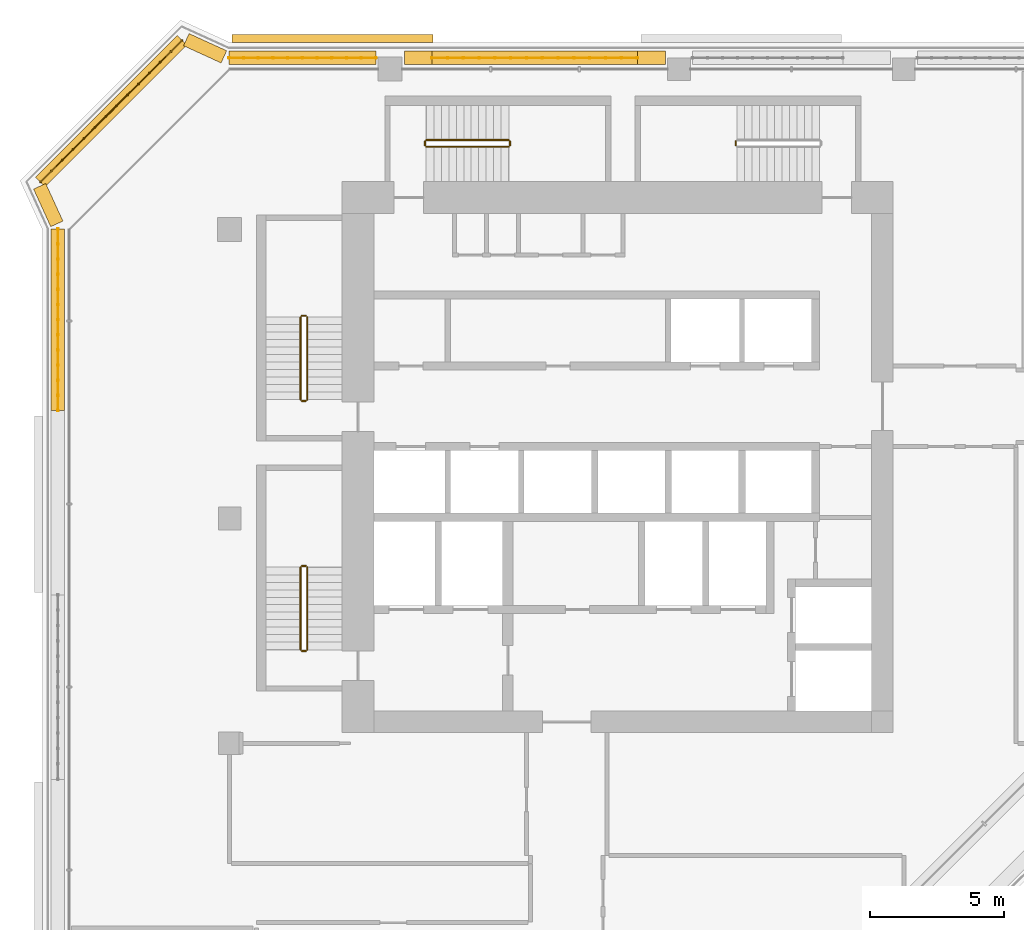
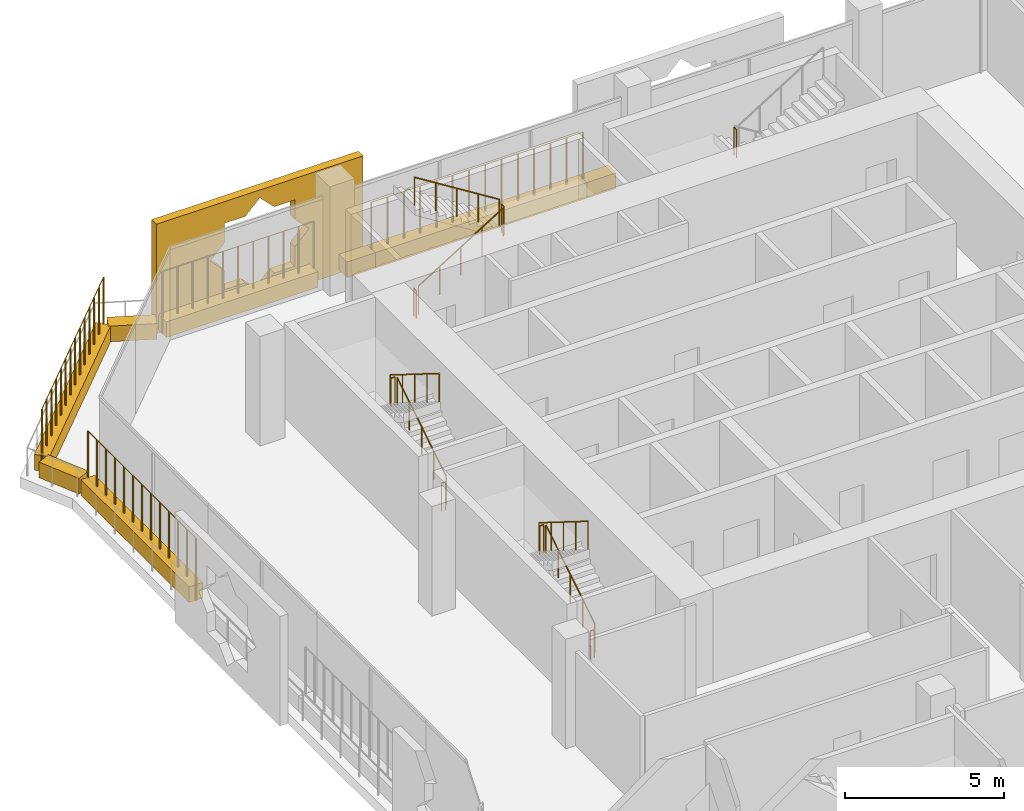
# One storey, part 21 of 23: 17 railings, 9 coverings.
"""IFC4 building model written with IfcOpenShell, lengths in metres."""

from ifc_helpers import new_model, si_unit, direction, frame, origin, origin_2d, place, context, subcontext, project, spatial, polyline, rectangle, circle, outline, extrude, material, material_profile, profile_set, type_object, element, save


model = new_model("IFC4")

# Units and contexts
model_context = context("Model", 3, precision=1e-05, world=origin(), true_north=direction((0.0, 1.0)))
body_context = subcontext(model_context, "Body", "Model", "MODEL_VIEW")
ifc_project = project(units=[si_unit("LENGTHUNIT", "METRE"), si_unit("AREAUNIT", "SQUARE_METRE"), si_unit("VOLUMEUNIT", "CUBIC_METRE"), si_unit("PLANEANGLEUNIT", "RADIAN"), si_unit("MASSUNIT", "GRAM", prefix="KILO")], contexts=[model_context])

# Site, building, storey
site_placement = place(None, origin())
site = spatial("IfcSite", under=ifc_project, at=site_placement, CompositionType="ELEMENT")
building_placement = place(site_placement, origin())
building = spatial("IfcBuilding", under=site, at=building_placement, Name="Kawkab Arch Medical Tower", CompositionType="ELEMENT")
storey_placement = place(building_placement, frame((0.0, 0.0, 226.39990234375)))
storey = spatial("IfcBuildingStorey", under=building, at=storey_placement, Name="L52", CompositionType="ELEMENT", Elevation=226.39990234375)

# Coverings
ifc_material_1 = material(Name="Bronze anodised aluminium mashrabiya panel, eight-point star pattern", Category="aluminium")
ifc_material_profile_1 = material_profile(ifc_material_1, outline(polyline([(-3.75, -2.10009765625), (3.75, -2.10009765625), (3.75, 2.10009765625), (-3.75, 2.10009765625), (-3.75, -2.10009765625)]), holes=[polyline([(1.800048828125, 0.0), (1.272705078125, 0.527099609375), (1.272705078125, 1.272705078125), (0.527099609375, 1.272705078125), (0.0, 1.800048828125), (-0.527099609375, 1.272705078125), (-1.272705078125, 1.272705078125), (-1.272705078125, 0.527099609375), (-1.800048828125, 0.0), (-1.272705078125, -0.527099609375), (-1.272705078125, -1.272705078125), (-0.527099609375, -1.272705078125), (0.0, -1.800048828125), (0.527099609375, -1.272705078125), (1.272705078125, -1.272705078125), (1.272705078125, -0.527099609375), (1.800048828125, 0.0)])]), Name="Mashrabiya panel 7500x4200")
ifc_profile_set_1 = profile_set([ifc_material_profile_1], Name="Bronze anodised aluminium mashrabiya panel, eight-point star pattern")
covering_type_1 = type_object("IfcCoveringType", Name="Mashrabiya panel 7500 x 4200", PredefinedType="USERDEFINED", material=ifc_profile_set_1)
covering_1_placement = place(storey_placement, frame((3.843017578125, 1.0, 1.7001953125), z_axis=(0.0, 1.0, 0.0), x_axis=(-1.0, 0.0, 0.0)))
element("IfcCovering", 1, at=covering_1_placement, inside=storey, type_object=covering_type_1, Name="Mashrabiya panel L52.LOG-01-02.5", ObjectType="SCREEN", PredefinedType="USERDEFINED", context=body_context, shape_type="SweptSolid", body=[
    extrude(outline(polyline([(-3.75, -2.10009765625), (3.75, -2.10009765625), (3.75, 2.10009765625), (-3.75, 2.10009765625), (-3.75, -2.10009765625)]), holes=[polyline([(1.800048828125, 0.0), (1.272705078125, 0.527099609375), (1.272705078125, 1.272705078125), (0.527099609375, 1.272705078125), (0.0, 1.800048828125), (-0.527099609375, 1.272705078125), (-1.272705078125, 1.272705078125), (-1.272705078125, 0.527099609375), (-1.800048828125, 0.0), (-1.272705078125, -0.527099609375), (-1.272705078125, -1.272705078125), (-0.527099609375, -1.272705078125), (0.0, -1.800048828125), (0.527099609375, -1.272705078125), (1.272705078125, -1.272705078125), (1.272705078125, -0.527099609375), (1.800048828125, 0.0)])]), origin(), (0.0, 0.0, 1.0), 0.300048828125),
])
ifc_material_2 = material(Name="Planting soil in a precast trough", Category="concrete")
ifc_material_profile_2 = material_profile(ifc_material_2, rectangle(XDim=0.5, YDim=0.60009765625, at=origin_2d()), Name="Trough 500x600")
ifc_profile_set_2 = profile_set([ifc_material_profile_2], Name="Planting soil in a precast trough")
covering_type_2 = type_object("IfcCoveringType", Name="Planter trough 500 x 600", PredefinedType="USERDEFINED", material=ifc_profile_set_2)
covering_2_placement = place(storey_placement, frame((-6.419921875, -12.763916015625, 0.300048828125), z_axis=(0.0, 1.0, 0.0), x_axis=(-1.0, 0.0, 0.0)))
element("IfcCovering", 2, at=covering_2_placement, inside=storey, type_object=covering_type_2, Name="Planter L52.LOG-01-02.11", ObjectType="PLANTER", PredefinedType="USERDEFINED", context=body_context, shape_type="SweptSolid", body=[
    extrude(rectangle(XDim=0.5, YDim=0.60009765625, at=origin_2d()), origin(), (0.0, 0.0, 1.0), 6.789794921875),
])
covering_3_placement = place(storey_placement, frame((-6.4609375, -5.782958984375, 0.300048828125), z_axis=(-0.415363486165, 0.909655525109, 0.0), x_axis=(-0.909655525109, -0.415363486165, 0.0)))
element("IfcCovering", 3, at=covering_3_placement, inside=storey, type_object=covering_type_2, Name="Planter L52.LOG-01-02.12", ObjectType="PLANTER", PredefinedType="USERDEFINED", context=body_context, shape_type="SweptSolid", body=[
    extrude(rectangle(XDim=0.5, YDim=0.60009765625, at=origin_2d()), origin(), (0.0, 0.0, 1.0), 1.54345703125),
])
covering_4_placement = place(storey_placement, frame((-7.072998046875, -4.217041015625, 0.300048828125), z_axis=(0.707106781187, 0.707106781187, 0.0), x_axis=(-0.707106781187, 0.707106781187, 0.0)))
element("IfcCovering", 4, at=covering_4_placement, inside=storey, type_object=covering_type_2, Name="Planter L52.LOG-01-02.13", ObjectType="PLANTER", PredefinedType="USERDEFINED", context=body_context, shape_type="SweptSolid", body=[
    extrude(rectangle(XDim=0.5, YDim=0.60009765625, at=origin_2d()), origin(), (0.0, 0.0, 1.0), 7.481201171875),
])
covering_5_placement = place(storey_placement, frame((-1.62109375, 1.10205078125, 0.300048828125), z_axis=(0.909655525109, -0.415363486165, 0.0), x_axis=(0.415363486165, 0.909655525109, 0.0)))
element("IfcCovering", 5, at=covering_5_placement, inside=storey, type_object=covering_type_2, Name="Planter L52.LOG-01-02.14", ObjectType="PLANTER", PredefinedType="USERDEFINED", context=body_context, shape_type="SweptSolid", body=[
    extrude(rectangle(XDim=0.5, YDim=0.60009765625, at=origin_2d()), origin(), (0.0, 0.0, 1.0), 1.54345703125),
])
covering_6_placement = place(storey_placement, frame((-0.02587890625, 0.419921875, 0.300048828125), z_axis=(1.0, 0.0, 0.0), x_axis=(0.0, 1.0, 0.0)))
element("IfcCovering", 6, at=covering_6_placement, inside=storey, type_object=covering_type_2, Name="Planter L52.LOG-01-02.15", ObjectType="PLANTER", PredefinedType="USERDEFINED", context=body_context, shape_type="SweptSolid", body=[
    extrude(rectangle(XDim=0.5, YDim=0.60009765625, at=origin_2d()), origin(), (0.0, 0.0, 1.0), 5.495849609375),
])
covering_7_placement = place(storey_placement, frame((6.530029296875, 0.419921875, 0.300048828125), z_axis=(1.0, 0.0, 0.0), x_axis=(0.0, 1.0, 0.0)))
element("IfcCovering", 7, at=covering_7_placement, inside=storey, type_object=covering_type_2, Name="Planter L52.LOG-01-02.16", ObjectType="PLANTER", PredefinedType="USERDEFINED", context=body_context, shape_type="SweptSolid", body=[
    extrude(rectangle(XDim=0.5, YDim=0.60009765625, at=origin_2d()), origin(), (0.0, 0.0, 1.0), 1.02587890625),
])
covering_8_placement = place(storey_placement, frame((7.555908203125, 0.419921875, 0.300048828125), z_axis=(1.0, 0.0, 0.0), x_axis=(0.0, 1.0, 0.0)))
element("IfcCovering", 8, at=covering_8_placement, inside=storey, type_object=covering_type_2, Name="Planter L52.LOG-01-02.17", ObjectType="PLANTER", PredefinedType="USERDEFINED", context=body_context, shape_type="SweptSolid", body=[
    extrude(rectangle(XDim=0.5, YDim=0.60009765625, at=origin_2d()), origin(), (0.0, 0.0, 1.0), 7.68115234375),
])
covering_9_placement = place(storey_placement, frame((15.237060546875, 0.419921875, 0.300048828125), z_axis=(1.0, 0.0, 0.0), x_axis=(0.0, 1.0, 0.0)))
element("IfcCovering", 9, at=covering_9_placement, inside=storey, type_object=covering_type_2, Name="Planter L52.LOG-01-02.18", ObjectType="PLANTER", PredefinedType="USERDEFINED", context=body_context, shape_type="SweptSolid", body=[
    extrude(rectangle(XDim=0.5, YDim=0.60009765625, at=origin_2d()), origin(), (0.0, 0.0, 1.0), 1.057861328125),
])

# Railings
ifc_material_3 = material(Name="Bronze anodised aluminium trellis for climbing plants", Category="aluminium")
railing_type_1 = type_object("IfcRailingType", Name="Planting trellis 2400", PredefinedType="USERDEFINED", material=ifc_material_3)
railing_1_placement = place(storey_placement, frame((-6.419921875, -12.763916015625, 0.0)))
element("IfcRailing", 10, at=railing_1_placement, inside=storey, type_object=railing_type_1, Name="Planting trellis L52.LOG-01-02.11", ObjectType="TRELLIS", PredefinedType="USERDEFINED", context=body_context, shape_type="SweptSolid", body=[
    extrude(circle(Radius=0.01513671875, at=origin_2d()), frame((0.0, 0.0, 2.384765625), z_axis=(0.0, 1.0, 0.0), x_axis=(-1.0, 0.0, 0.0)), (0.0, 0.0, 1.0), 6.789794921875),
    extrude(circle(Radius=0.030029296875, at=origin_2d()), origin(), (0.0, 0.0, 1.0), 2.369873046875),
    extrude(circle(Radius=0.030029296875, at=origin_2d()), frame((0.0, 0.56591796875, 0.0)), (0.0, 0.0, 1.0), 2.369873046875),
    extrude(circle(Radius=0.030029296875, at=origin_2d()), frame((0.0, 1.131591796875, 0.0)), (0.0, 0.0, 1.0), 2.369873046875),
    extrude(circle(Radius=0.030029296875, at=origin_2d()), frame((0.0, 1.697509765625, 0.0)), (0.0, 0.0, 1.0), 2.369873046875),
    extrude(circle(Radius=0.030029296875, at=origin_2d()), frame((0.0, 2.26318359375, 0.0)), (0.0, 0.0, 1.0), 2.369873046875),
    extrude(circle(Radius=0.030029296875, at=origin_2d()), frame((0.0, 2.8291015625, 0.0)), (0.0, 0.0, 1.0), 2.369873046875),
    extrude(circle(Radius=0.030029296875, at=origin_2d()), frame((0.0, 3.39501953125, 0.0)), (0.0, 0.0, 1.0), 2.369873046875),
    extrude(circle(Radius=0.030029296875, at=origin_2d()), frame((0.0, 3.960693359375, 0.0)), (0.0, 0.0, 1.0), 2.369873046875),
    extrude(circle(Radius=0.030029296875, at=origin_2d()), frame((0.0, 4.526611328125, 0.0)), (0.0, 0.0, 1.0), 2.369873046875),
    extrude(circle(Radius=0.030029296875, at=origin_2d()), frame((0.0, 5.09228515625, 0.0)), (0.0, 0.0, 1.0), 2.369873046875),
    extrude(circle(Radius=0.030029296875, at=origin_2d()), frame((0.0, 5.658203125, 0.0)), (0.0, 0.0, 1.0), 2.369873046875),
    extrude(circle(Radius=0.030029296875, at=origin_2d()), frame((0.0, 6.223876953125, 0.0)), (0.0, 0.0, 1.0), 2.369873046875),
    extrude(circle(Radius=0.030029296875, at=origin_2d()), frame((0.0, 6.789794921875, 0.0)), (0.0, 0.0, 1.0), 2.369873046875),
])
railing_2_placement = place(storey_placement, frame((-7.072998046875, -4.217041015625, 0.0)))
element("IfcRailing", 11, at=railing_2_placement, inside=storey, type_object=railing_type_1, Name="Planting trellis L52.LOG-01-02.13", ObjectType="TRELLIS", PredefinedType="USERDEFINED", context=body_context, shape_type="SweptSolid", body=[
    extrude(circle(Radius=0.01513671875, at=origin_2d()), frame((0.0, 0.0, 2.384765625), z_axis=(0.707106781187, 0.707106781187, 0.0), x_axis=(-0.707106781187, 0.707106781187, 0.0)), (0.0, 0.0, 1.0), 7.481201171875),
    extrude(circle(Radius=0.030029296875, at=origin_2d()), origin(), (0.0, 0.0, 1.0), 2.369873046875),
    extrude(circle(Radius=0.030029296875, at=origin_2d()), frame((0.406982421875, 0.406982421875, 0.0)), (0.0, 0.0, 1.0), 2.369873046875),
    extrude(circle(Radius=0.030029296875, at=origin_2d()), frame((0.81396484375, 0.81396484375, 0.0)), (0.0, 0.0, 1.0), 2.369873046875),
    extrude(circle(Radius=0.030029296875, at=origin_2d()), frame((1.220703125, 1.220703125, 0.0)), (0.0, 0.0, 1.0), 2.369873046875),
    extrude(circle(Radius=0.030029296875, at=origin_2d()), frame((1.627685546875, 1.627685546875, 0.0)), (0.0, 0.0, 1.0), 2.369873046875),
    extrude(circle(Radius=0.030029296875, at=origin_2d()), frame((2.03466796875, 2.03466796875, 0.0)), (0.0, 0.0, 1.0), 2.369873046875),
    extrude(circle(Radius=0.030029296875, at=origin_2d()), frame((2.441650390625, 2.441650390625, 0.0)), (0.0, 0.0, 1.0), 2.369873046875),
    extrude(circle(Radius=0.030029296875, at=origin_2d()), frame((2.848388671875, 2.848388671875, 0.0)), (0.0, 0.0, 1.0), 2.369873046875),
    extrude(circle(Radius=0.030029296875, at=origin_2d()), frame((3.25537109375, 3.25537109375, 0.0)), (0.0, 0.0, 1.0), 2.369873046875),
    extrude(circle(Radius=0.030029296875, at=origin_2d()), frame((3.662353515625, 3.662353515625, 0.0)), (0.0, 0.0, 1.0), 2.369873046875),
    extrude(circle(Radius=0.030029296875, at=origin_2d()), frame((4.0693359375, 4.0693359375, 0.0)), (0.0, 0.0, 1.0), 2.369873046875),
    extrude(circle(Radius=0.030029296875, at=origin_2d()), frame((4.47607421875, 4.47607421875, 0.0)), (0.0, 0.0, 1.0), 2.369873046875),
    extrude(circle(Radius=0.030029296875, at=origin_2d()), frame((4.883056640625, 4.883056640625, 0.0)), (0.0, 0.0, 1.0), 2.369873046875),
    extrude(circle(Radius=0.030029296875, at=origin_2d()), frame((5.2900390625, 5.2900390625, 0.0)), (0.0, 0.0, 1.0), 2.369873046875),
])
railing_3_placement = place(storey_placement, frame((-0.02587890625, 0.419921875, 0.0)))
element("IfcRailing", 12, at=railing_3_placement, inside=storey, type_object=railing_type_1, Name="Planting trellis L52.LOG-01-02.15", ObjectType="TRELLIS", PredefinedType="USERDEFINED", context=body_context, shape_type="SweptSolid", body=[
    extrude(circle(Radius=0.01513671875, at=origin_2d()), frame((0.0, 0.0, 2.384765625), z_axis=(1.0, 0.0, 0.0), x_axis=(0.0, 1.0, 0.0)), (0.0, 0.0, 1.0), 5.495849609375),
    extrude(circle(Radius=0.030029296875, at=origin_2d()), origin(), (0.0, 0.0, 1.0), 2.369873046875),
    extrude(circle(Radius=0.030029296875, at=origin_2d()), frame((0.549560546875, 0.0, 0.0)), (0.0, 0.0, 1.0), 2.369873046875),
    extrude(circle(Radius=0.030029296875, at=origin_2d()), frame((1.09912109375, 0.0, 0.0)), (0.0, 0.0, 1.0), 2.369873046875),
    extrude(circle(Radius=0.030029296875, at=origin_2d()), frame((1.648681640625, 0.0, 0.0)), (0.0, 0.0, 1.0), 2.369873046875),
    extrude(circle(Radius=0.030029296875, at=origin_2d()), frame((2.1982421875, 0.0, 0.0)), (0.0, 0.0, 1.0), 2.369873046875),
    extrude(circle(Radius=0.030029296875, at=origin_2d()), frame((2.748046875, 0.0, 0.0)), (0.0, 0.0, 1.0), 2.369873046875),
    extrude(circle(Radius=0.030029296875, at=origin_2d()), frame((3.297607421875, 0.0, 0.0)), (0.0, 0.0, 1.0), 2.369873046875),
    extrude(circle(Radius=0.030029296875, at=origin_2d()), frame((3.84716796875, 0.0, 0.0)), (0.0, 0.0, 1.0), 2.369873046875),
    extrude(circle(Radius=0.030029296875, at=origin_2d()), frame((4.396728515625, 0.0, 0.0)), (0.0, 0.0, 1.0), 2.369873046875),
    extrude(circle(Radius=0.030029296875, at=origin_2d()), frame((4.9462890625, 0.0, 0.0)), (0.0, 0.0, 1.0), 2.369873046875),
    extrude(circle(Radius=0.030029296875, at=origin_2d()), frame((5.495849609375, 0.0, 0.0)), (0.0, 0.0, 1.0), 2.369873046875),
])
railing_4_placement = place(storey_placement, frame((7.555908203125, 0.419921875, 0.0)))
element("IfcRailing", 13, at=railing_4_placement, inside=storey, type_object=railing_type_1, Name="Planting trellis L52.LOG-01-02.17", ObjectType="TRELLIS", PredefinedType="USERDEFINED", context=body_context, shape_type="SweptSolid", body=[
    extrude(circle(Radius=0.01513671875, at=origin_2d()), frame((0.0, 0.0, 2.384765625), z_axis=(1.0, 0.0, 0.0), x_axis=(0.0, 1.0, 0.0)), (0.0, 0.0, 1.0), 7.68115234375),
    extrude(circle(Radius=0.030029296875, at=origin_2d()), origin(), (0.0, 0.0, 1.0), 2.369873046875),
    extrude(circle(Radius=0.030029296875, at=origin_2d()), frame((0.5908203125, 0.0, 0.0)), (0.0, 0.0, 1.0), 2.369873046875),
    extrude(circle(Radius=0.030029296875, at=origin_2d()), frame((1.181640625, 0.0, 0.0)), (0.0, 0.0, 1.0), 2.369873046875),
    extrude(circle(Radius=0.030029296875, at=origin_2d()), frame((1.7724609375, 0.0, 0.0)), (0.0, 0.0, 1.0), 2.369873046875),
    extrude(circle(Radius=0.030029296875, at=origin_2d()), frame((2.363525390625, 0.0, 0.0)), (0.0, 0.0, 1.0), 2.369873046875),
    extrude(circle(Radius=0.030029296875, at=origin_2d()), frame((2.954345703125, 0.0, 0.0)), (0.0, 0.0, 1.0), 2.369873046875),
    extrude(circle(Radius=0.030029296875, at=origin_2d()), frame((3.545166015625, 0.0, 0.0)), (0.0, 0.0, 1.0), 2.369873046875),
    extrude(circle(Radius=0.030029296875, at=origin_2d()), frame((4.135986328125, 0.0, 0.0)), (0.0, 0.0, 1.0), 2.369873046875),
    extrude(circle(Radius=0.030029296875, at=origin_2d()), frame((4.726806640625, 0.0, 0.0)), (0.0, 0.0, 1.0), 2.369873046875),
    extrude(circle(Radius=0.030029296875, at=origin_2d()), frame((5.317626953125, 0.0, 0.0)), (0.0, 0.0, 1.0), 2.369873046875),
    extrude(circle(Radius=0.030029296875, at=origin_2d()), frame((5.90869140625, 0.0, 0.0)), (0.0, 0.0, 1.0), 2.369873046875),
    extrude(circle(Radius=0.030029296875, at=origin_2d()), frame((6.49951171875, 0.0, 0.0)), (0.0, 0.0, 1.0), 2.369873046875),
    extrude(circle(Radius=0.030029296875, at=origin_2d()), frame((7.09033203125, 0.0, 0.0)), (0.0, 0.0, 1.0), 2.369873046875),
    extrude(circle(Radius=0.030029296875, at=origin_2d()), frame((7.68115234375, 0.0, 0.0)), (0.0, 0.0, 1.0), 2.369873046875),
])
ifc_material_4 = material(Name="Stainless steel", Category="steel")
railing_type_2 = type_object("IfcRailingType", Name="Stair guard 1100", PredefinedType="GUARDRAIL", material=ifc_material_4)
railing_5_placement = place(storey_placement, frame((2.89990234375, -12.35009765625, 0.175048828125)))
element("IfcRailing", 14, at=railing_5_placement, inside=storey, type_object=railing_type_2, Name="L52 ST1 stair guard 1", PredefinedType="GUARDRAIL", context=body_context, shape_type="SweptSolid", body=[
    extrude(circle(Radius=0.02392578125, at=origin_2d()), frame((0.0, 0.0, 1.076171875), z_axis=(0.0, 0.847998304005, 0.529998940003), x_axis=(-1.0, 0.0, 0.0)), (0.0, 0.0, 1.0), 3.632080078125),
    extrude(circle(Radius=0.02099609375, at=origin_2d()), origin(), (0.0, 0.0, 1.0), 1.052001953125),
    extrude(circle(Radius=0.02099609375, at=origin_2d()), frame((0.0, 0.77001953125, 0.481201171875)), (0.0, 0.0, 1.0), 1.052001953125),
    extrude(circle(Radius=0.02099609375, at=origin_2d()), frame((0.0, 1.5400390625, 0.96240234375)), (0.0, 0.0, 1.0), 1.052001953125),
    extrude(circle(Radius=0.02099609375, at=origin_2d()), frame((0.0, 2.31005859375, 1.44384765625)), (0.0, 0.0, 1.0), 1.052001953125),
    extrude(circle(Radius=0.02099609375, at=origin_2d()), frame((0.0, 3.080078125, 1.925048828125)), (0.0, 0.0, 1.0), 1.052001953125),
])
railing_6_placement = place(storey_placement, frame((2.85009765625, -9.219970703125, 2.10009765625)))
element("IfcRailing", 15, at=railing_6_placement, inside=storey, type_object=railing_type_2, Name="L52 ST1 stair guard 2", PredefinedType="GUARDRAIL", context=body_context, shape_type="SweptSolid", body=[
    extrude(circle(Radius=0.02392578125, at=origin_2d()), frame((0.0, 0.0, 1.076171875), z_axis=(-1.0, 0.0, 0.0), x_axis=(0.0, -1.0, 0.0)), (0.0, 0.0, 1.0), 0.150146484375),
    extrude(circle(Radius=0.02099609375, at=origin_2d()), origin(), (0.0, 0.0, 1.0), 1.052001953125),
    extrude(circle(Radius=0.02099609375, at=origin_2d()), frame((-0.150146484375, 0.0, 0.0)), (0.0, 0.0, 1.0), 1.052001953125),
])
railing_7_placement = place(storey_placement, frame((2.64990234375, -9.27001953125, 2.275146484375)))
element("IfcRailing", 16, at=railing_7_placement, inside=storey, type_object=railing_type_2, Name="L52 ST1 stair guard 3", PredefinedType="GUARDRAIL", context=body_context, shape_type="SweptSolid", body=[
    extrude(circle(Radius=0.02392578125, at=origin_2d()), frame((0.0, 0.0, 1.076171875), z_axis=(0.0, -0.847998304005, 0.529998940003), x_axis=(1.0, 0.0, 0.0)), (0.0, 0.0, 1.0), 3.632080078125),
    extrude(circle(Radius=0.02099609375, at=origin_2d()), origin(), (0.0, 0.0, 1.0), 1.052001953125),
    extrude(circle(Radius=0.02099609375, at=origin_2d()), frame((0.0, -0.77001953125, 0.481201171875)), (0.0, 0.0, 1.0), 1.052001953125),
    extrude(circle(Radius=0.02099609375, at=origin_2d()), frame((0.0, -1.5400390625, 0.96240234375)), (0.0, 0.0, 1.0), 1.052001953125),
    extrude(circle(Radius=0.02099609375, at=origin_2d()), frame((0.0, -2.31005859375, 1.44384765625)), (0.0, 0.0, 1.0), 1.052001953125),
    extrude(circle(Radius=0.02099609375, at=origin_2d()), frame((0.0, -3.080078125, 1.925048828125)), (0.0, 0.0, 1.0), 1.052001953125),
])
railing_8_placement = place(storey_placement, frame((2.85009765625, -12.39990234375, 0.0)))
element("IfcRailing", 17, at=railing_8_placement, inside=storey, type_object=railing_type_2, Name="L52 ST1 stair guard 4", PredefinedType="GUARDRAIL", context=body_context, shape_type="SweptSolid", body=[
    extrude(circle(Radius=0.02392578125, at=origin_2d()), frame((0.0, 0.0, 1.076171875), z_axis=(-1.0, 0.0, 0.0), x_axis=(0.0, -1.0, 0.0)), (0.0, 0.0, 1.0), 0.150146484375),
    extrude(circle(Radius=0.02099609375, at=origin_2d()), origin(), (0.0, 0.0, 1.0), 1.052001953125),
    extrude(circle(Radius=0.02099609375, at=origin_2d()), frame((-0.150146484375, 0.0, 0.0)), (0.0, 0.0, 1.0), 1.052001953125),
])
railing_9_placement = place(storey_placement, frame((2.89990234375, -21.699951171875, 0.175048828125)))
element("IfcRailing", 18, at=railing_9_placement, inside=storey, type_object=railing_type_2, Name="L52 ST2 stair guard 1", PredefinedType="GUARDRAIL", context=body_context, shape_type="SweptSolid", body=[
    extrude(circle(Radius=0.02392578125, at=origin_2d()), frame((0.0, 0.0, 1.076171875), z_axis=(0.0, 0.847979421464, 0.530029150871), x_axis=(-1.0, 0.0, 0.0)), (0.0, 0.0, 1.0), 3.632080078125),
    extrude(circle(Radius=0.02099609375, at=origin_2d()), origin(), (0.0, 0.0, 1.0), 1.052001953125),
    extrude(circle(Radius=0.02099609375, at=origin_2d()), frame((0.0, 0.77001953125, 0.481201171875)), (0.0, 0.0, 1.0), 1.052001953125),
    extrude(circle(Radius=0.02099609375, at=origin_2d()), frame((0.0, 1.5400390625, 0.96240234375)), (0.0, 0.0, 1.0), 1.052001953125),
    extrude(circle(Radius=0.02099609375, at=origin_2d()), frame((0.0, 2.309814453125, 1.44384765625)), (0.0, 0.0, 1.0), 1.052001953125),
    extrude(circle(Radius=0.02099609375, at=origin_2d()), frame((0.0, 3.079833984375, 1.925048828125)), (0.0, 0.0, 1.0), 1.052001953125),
])
railing_10_placement = place(storey_placement, frame((2.85009765625, -18.570068359375, 2.10009765625)))
element("IfcRailing", 19, at=railing_10_placement, inside=storey, type_object=railing_type_2, Name="L52 ST2 stair guard 2", PredefinedType="GUARDRAIL", context=body_context, shape_type="SweptSolid", body=[
    extrude(circle(Radius=0.02392578125, at=origin_2d()), frame((0.0, 0.0, 1.076171875), z_axis=(-1.0, 0.0, 0.0), x_axis=(0.0, -1.0, 0.0)), (0.0, 0.0, 1.0), 0.150146484375),
    extrude(circle(Radius=0.02099609375, at=origin_2d()), origin(), (0.0, 0.0, 1.0), 1.052001953125),
    extrude(circle(Radius=0.02099609375, at=origin_2d()), frame((-0.150146484375, 0.0, 0.0)), (0.0, 0.0, 1.0), 1.052001953125),
])
railing_11_placement = place(storey_placement, frame((2.64990234375, -18.6201171875, 2.275146484375)))
element("IfcRailing", 20, at=railing_11_placement, inside=storey, type_object=railing_type_2, Name="L52 ST2 stair guard 3", PredefinedType="GUARDRAIL", context=body_context, shape_type="SweptSolid", body=[
    extrude(circle(Radius=0.02392578125, at=origin_2d()), frame((0.0, 0.0, 1.076171875), z_axis=(0.0, -0.847979421464, 0.530029150871), x_axis=(1.0, 0.0, 0.0)), (0.0, 0.0, 1.0), 3.632080078125),
    extrude(circle(Radius=0.02099609375, at=origin_2d()), origin(), (0.0, 0.0, 1.0), 1.052001953125),
    extrude(circle(Radius=0.02099609375, at=origin_2d()), frame((0.0, -0.77001953125, 0.481201171875)), (0.0, 0.0, 1.0), 1.052001953125),
    extrude(circle(Radius=0.02099609375, at=origin_2d()), frame((0.0, -1.5400390625, 0.96240234375)), (0.0, 0.0, 1.0), 1.052001953125),
    extrude(circle(Radius=0.02099609375, at=origin_2d()), frame((0.0, -2.309814453125, 1.44384765625)), (0.0, 0.0, 1.0), 1.052001953125),
    extrude(circle(Radius=0.02099609375, at=origin_2d()), frame((0.0, -3.079833984375, 1.925048828125)), (0.0, 0.0, 1.0), 1.052001953125),
])
railing_12_placement = place(storey_placement, frame((2.85009765625, -21.75, 0.0)))
element("IfcRailing", 21, at=railing_12_placement, inside=storey, type_object=railing_type_2, Name="L52 ST2 stair guard 4", PredefinedType="GUARDRAIL", context=body_context, shape_type="SweptSolid", body=[
    extrude(circle(Radius=0.02392578125, at=origin_2d()), frame((0.0, 0.0, 1.076171875), z_axis=(-1.0, 0.0, 0.0), x_axis=(0.0, -1.0, 0.0)), (0.0, 0.0, 1.0), 0.150146484375),
    extrude(circle(Radius=0.02099609375, at=origin_2d()), origin(), (0.0, 0.0, 1.0), 1.052001953125),
    extrude(circle(Radius=0.02099609375, at=origin_2d()), frame((-0.150146484375, 0.0, 0.0)), (0.0, 0.0, 1.0), 1.052001953125),
])
railing_13_placement = place(storey_placement, frame((7.35009765625, -2.89990234375, 0.175048828125)))
element("IfcRailing", 22, at=railing_13_placement, inside=storey, type_object=railing_type_2, Name="L52 ST3 stair guard 1", PredefinedType="GUARDRAIL", context=body_context, shape_type="SweptSolid", body=[
    extrude(circle(Radius=0.02392578125, at=origin_2d()), frame((0.0, 0.0, 1.076171875), z_axis=(0.847979421464, 0.0, 0.530029150871), x_axis=(0.0, 1.0, 0.0)), (0.0, 0.0, 1.0), 3.632080078125),
    extrude(circle(Radius=0.02099609375, at=origin_2d()), origin(), (0.0, 0.0, 1.0), 1.052001953125),
    extrude(circle(Radius=0.02099609375, at=origin_2d()), frame((0.77001953125, 0.0, 0.481201171875)), (0.0, 0.0, 1.0), 1.052001953125),
    extrude(circle(Radius=0.02099609375, at=origin_2d()), frame((1.5400390625, 0.0, 0.96240234375)), (0.0, 0.0, 1.0), 1.052001953125),
    extrude(circle(Radius=0.02099609375, at=origin_2d()), frame((2.309814453125, 0.0, 1.44384765625)), (0.0, 0.0, 1.0), 1.052001953125),
    extrude(circle(Radius=0.02099609375, at=origin_2d()), frame((3.079833984375, 0.0, 1.925048828125)), (0.0, 0.0, 1.0), 1.052001953125),
])
railing_14_placement = place(storey_placement, frame((10.47998046875, -2.85009765625, 2.10009765625)))
element("IfcRailing", 23, at=railing_14_placement, inside=storey, type_object=railing_type_2, Name="L52 ST3 stair guard 2", PredefinedType="GUARDRAIL", context=body_context, shape_type="SweptSolid", body=[
    extrude(circle(Radius=0.02392578125, at=origin_2d()), frame((0.0, 0.0, 1.076171875), z_axis=(0.0, 1.0, 0.0), x_axis=(-1.0, 0.0, 0.0)), (0.0, 0.0, 1.0), 0.150146484375),
    extrude(circle(Radius=0.02099609375, at=origin_2d()), origin(), (0.0, 0.0, 1.0), 1.052001953125),
    extrude(circle(Radius=0.02099609375, at=origin_2d()), frame((0.0, 0.150146484375, 0.0)), (0.0, 0.0, 1.0), 1.052001953125),
])
railing_15_placement = place(storey_placement, frame((10.429931640625, -2.64990234375, 2.275146484375)))
element("IfcRailing", 24, at=railing_15_placement, inside=storey, type_object=railing_type_2, Name="L52 ST3 stair guard 3", PredefinedType="GUARDRAIL", context=body_context, shape_type="SweptSolid", body=[
    extrude(circle(Radius=0.02392578125, at=origin_2d()), frame((0.0, 0.0, 1.076171875), z_axis=(-0.847979421464, 0.0, 0.530029150871), x_axis=(0.0, -1.0, 0.0)), (0.0, 0.0, 1.0), 3.632080078125),
    extrude(circle(Radius=0.02099609375, at=origin_2d()), origin(), (0.0, 0.0, 1.0), 1.052001953125),
    extrude(circle(Radius=0.02099609375, at=origin_2d()), frame((-0.77001953125, 0.0, 0.481201171875)), (0.0, 0.0, 1.0), 1.052001953125),
    extrude(circle(Radius=0.02099609375, at=origin_2d()), frame((-1.5400390625, 0.0, 0.96240234375)), (0.0, 0.0, 1.0), 1.052001953125),
    extrude(circle(Radius=0.02099609375, at=origin_2d()), frame((-2.309814453125, 0.0, 1.44384765625)), (0.0, 0.0, 1.0), 1.052001953125),
    extrude(circle(Radius=0.02099609375, at=origin_2d()), frame((-3.079833984375, 0.0, 1.925048828125)), (0.0, 0.0, 1.0), 1.052001953125),
])
railing_16_placement = place(storey_placement, frame((7.300048828125, -2.85009765625, 0.0)))
element("IfcRailing", 25, at=railing_16_placement, inside=storey, type_object=railing_type_2, Name="L52 ST3 stair guard 4", PredefinedType="GUARDRAIL", context=body_context, shape_type="SweptSolid", body=[
    extrude(circle(Radius=0.02392578125, at=origin_2d()), frame((0.0, 0.0, 1.076171875), z_axis=(0.0, 1.0, 0.0), x_axis=(-1.0, 0.0, 0.0)), (0.0, 0.0, 1.0), 0.150146484375),
    extrude(circle(Radius=0.02099609375, at=origin_2d()), origin(), (0.0, 0.0, 1.0), 1.052001953125),
    extrude(circle(Radius=0.02099609375, at=origin_2d()), frame((0.0, 0.150146484375, 0.0)), (0.0, 0.0, 1.0), 1.052001953125),
])
railing_17_placement = place(storey_placement, frame((18.919921875, -2.699951171875, 2.10009765625)))
element("IfcRailing", 26, at=railing_17_placement, inside=storey, type_object=railing_type_2, Name="L52 ST4 stair guard 2", PredefinedType="GUARDRAIL", context=body_context, shape_type="SweptSolid", body=[
    extrude(circle(Radius=0.02392578125, at=origin_2d()), frame((0.0, 0.0, 1.076171875), z_axis=(0.0, -1.0, 0.0), x_axis=(1.0, 0.0, 0.0)), (0.0, 0.0, 1.0), 0.150146484375),
    extrude(circle(Radius=0.02099609375, at=origin_2d()), origin(), (0.0, 0.0, 1.0), 1.052001953125),
    extrude(circle(Radius=0.02099609375, at=origin_2d()), frame((0.0, -0.150146484375, 0.0)), (0.0, 0.0, 1.0), 1.052001953125),
])

save(model, "model.ifc")
